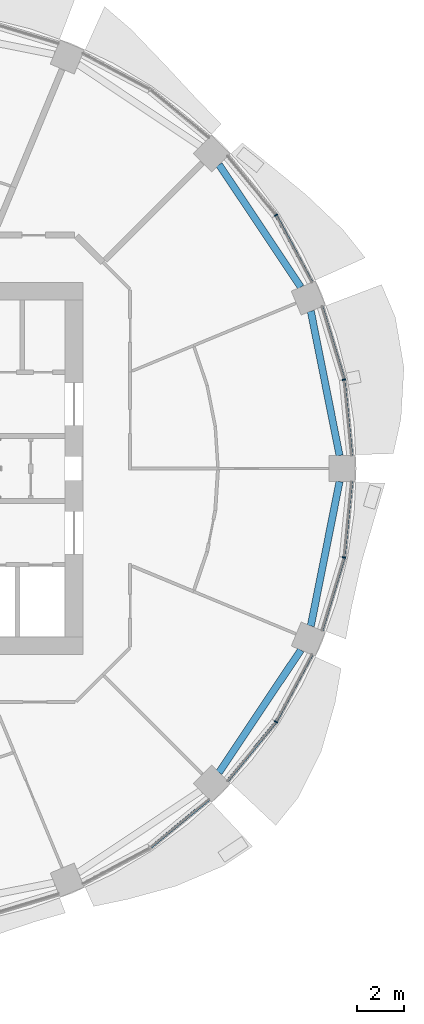
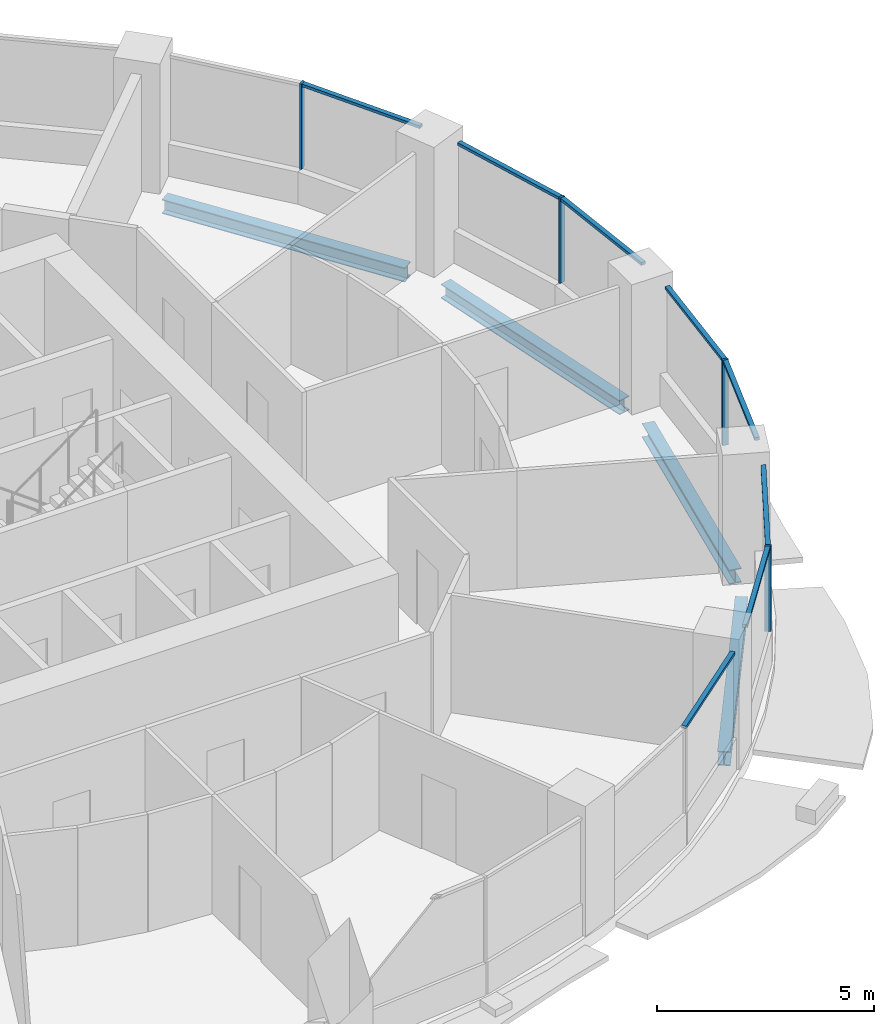
# One storey, part 5 of 15: 12 members, 4 beams, 5 elements without a shape of their own.
"""IFC4 building model written with IfcOpenShell, lengths in metres."""

import ifcopenshell
import ifcopenshell.guid

model = None  # the IFC model being written
_history = None  # IfcOwnerHistory: only IFC2X3 demands one
_inside = {}  # id of a spatial element -> (the spatial element, [elements in it])
_under = {}  # id of a project, library or spatial element -> (it, [spatial elements below it])
_declared = {}  # id of a project -> (the project, [libraries it declares])
_typed = {}  # id of a type object -> (the type object, [elements of that type])
_made_of = {}  # id of a material, layer set ... -> (it, [elements and type objects made of it])


def new_model(schema):
    """Start an empty IFC model of exactly this schema.

    Asked for "IFC4X3", IfcOpenShell would pick the latest addendum, in which some entities
    have other attributes; the version numbers below select the first issue.
    IFC2X3 requires an IfcOwnerHistory on every rooted entity: one is made here for all.
    """
    global model, _history
    if schema == "IFC4X3":
        model = ifcopenshell.file(schema_version=(4, 3, 0, 0))
    else:
        model = ifcopenshell.file(schema=schema)
    _inside.clear()
    _under.clear()
    _declared.clear()
    _typed.clear()
    _made_of.clear()
    _history = None
    if model.schema == "IFC2X3":
        org = make("IfcOrganization", Name="unknown")
        user = make(
            "IfcPersonAndOrganization",
            ThePerson=make("IfcPerson", FamilyName="unknown"),
            TheOrganization=org,
        )
        app = make(
            "IfcApplication",
            ApplicationDeveloper=org,
            Version="unknown",
            ApplicationFullName="unknown",
            ApplicationIdentifier="unknown",
        )
        _history = make(
            "IfcOwnerHistory",
            OwningUser=user,
            OwningApplication=app,
            ChangeAction="ADDED",
            CreationDate=0,
        )
    return model


def make(cls, **values):
    """One entity of the class cls with the attributes given. An attribute that is None is left unset."""
    return model.create_entity(
        cls, **{name: value for name, value in values.items() if value is not None}
    )


def rooted(cls, **values):
    """An entity with a GlobalId (a new one), such as an element, a storey or a relation."""
    return make(cls, GlobalId=ifcopenshell.guid.new(), OwnerHistory=_history, **values)


def si_unit(unit_type, name, prefix=None):
    """IfcSIUnit, for example si_unit("LENGTHUNIT", "METRE", prefix="MILLI")."""
    return make("IfcSIUnit", UnitType=unit_type, Prefix=prefix, Name=name)


def assignment(units):
    """IfcUnitAssignment: the units of a project."""
    return None if units is None else make("IfcUnitAssignment", Units=units)


def point(xyz):
    """IfcCartesianPoint."""
    return None if xyz is None else make("IfcCartesianPoint", Coordinates=xyz)


def direction(xyz):
    """IfcDirection."""
    return None if xyz is None else make("IfcDirection", DirectionRatios=xyz)


def frame(location, z_axis=None, x_axis=None):
    """IfcAxis2Placement3D, a coordinate frame: its origin and axes. An axis left out is left unset."""
    return make(
        "IfcAxis2Placement3D",
        Location=point(location),
        Axis=direction(z_axis),
        RefDirection=direction(x_axis),
    )


def frame_2d(location, x_axis=None):
    """IfcAxis2Placement2D, a coordinate frame in the plane: its origin and x axis."""
    return make(
        "IfcAxis2Placement2D", Location=point(location), RefDirection=direction(x_axis)
    )


def origin():
    """The frame at (0, 0, 0) with its axes left unset."""
    return frame((0.0, 0.0, 0.0))


def origin_2d():
    """The frame at (0, 0) in the plane with its x axis left unset."""
    return frame_2d((0.0, 0.0))


def place(relative_to, where):
    """IfcLocalPlacement: puts the frame where relative to a parent placement (None: the world)."""
    return make(
        "IfcLocalPlacement", PlacementRelTo=relative_to, RelativePlacement=where
    )


def context(
    kind, dimensions, precision=None, world=None, true_north=None, identifier=None
):
    """IfcGeometricRepresentationContext, for example the 3D "Model" context."""
    return make(
        "IfcGeometricRepresentationContext",
        ContextIdentifier=identifier,
        ContextType=kind,
        CoordinateSpaceDimension=dimensions,
        Precision=precision,
        WorldCoordinateSystem=world,
        TrueNorth=true_north,
    )


def subcontext(parent, identifier, kind, view, scale=None):
    """IfcGeometricRepresentationSubContext, for example "Body" below "Model"."""
    return make(
        "IfcGeometricRepresentationSubContext",
        ContextIdentifier=identifier,
        ContextType=kind,
        ParentContext=parent,
        TargetScale=scale,
        TargetView=view,
    )


def project(units=None, contexts=None):
    """IfcProject with its units and contexts."""
    return rooted(
        "IfcProject",
        Name="project",
        RepresentationContexts=contexts,
        UnitsInContext=assignment(units),
    )


def spatial(cls, under=None, at=None, **own):
    """A site, building, storey or space (cls), placed at a placement, below another one or the project."""
    s = rooted(cls, ObjectPlacement=at, **own)
    if under is not None:
        _under.setdefault(under.id(), (under, []))[1].append(s)
    return s


def profile(cls, at=None, kind="AREA", **sizes):
    """A parametric profile (cls). Its sizes go by their IFC names, for example OverallWidth=200.0."""
    return make(cls, ProfileType=kind, Position=at, **sizes)


def rectangle(**sizes):
    """IfcRectangleProfileDef."""
    return profile("IfcRectangleProfileDef", **sizes)


def i_section(**sizes):
    """IfcIShapeProfileDef."""
    return profile("IfcIShapeProfileDef", **sizes)


def extrude(swept, where, along, depth):
    """IfcExtrudedAreaSolid: the profile swept, set in the frame where, extruded along a direction by depth."""
    return make(
        "IfcExtrudedAreaSolid",
        SweptArea=swept,
        Position=where,
        ExtrudedDirection=direction(along),
        Depth=depth,
    )


def shape(context_of_items, identifier, shape_type, items):
    """IfcShapeRepresentation: the items that make up one representation, for example the "Body"."""
    return make(
        "IfcShapeRepresentation",
        ContextOfItems=context_of_items,
        RepresentationIdentifier=identifier,
        RepresentationType=shape_type,
        Items=items,
    )


def material(Name=None, Category=None):
    """IfcMaterial."""
    return make("IfcMaterial", Name=Name, Category=Category)


def material_profile(
    of_material, cross_section, Name=None, Category=None, Priority=None
):
    """IfcMaterialProfile: a cross section and its material."""
    return make(
        "IfcMaterialProfile",
        Name=Name,
        Material=of_material,
        Profile=cross_section,
        Priority=Priority,
        Category=Category,
    )


def profile_set(profiles, Name=None, composite=None):
    """IfcMaterialProfileSet."""
    return make(
        "IfcMaterialProfileSet",
        Name=Name,
        MaterialProfiles=profiles,
        CompositeProfile=composite,
    )


def made_of(thing, what):
    """Note that an element or type object is made of a material, layer set ...; save() writes the relation."""
    if what is not None:
        _made_of.setdefault(what.id(), (what, []))[1].append(thing)
    return thing


def type_object(cls, material=None, **own):
    """A type object (cls), such as IfcWallType, which elements share."""
    return made_of(rooted(cls, **own), material)


def element(
    cls,
    number,
    at=None,
    inside=None,
    cuts=None,
    type_object=None,
    material=None,
    context=None,
    identifier="Body",
    shape_type=None,
    held_by="IfcProductDefinitionShape",
    body=None,
    shapes=None,
    **own,
):
    """One element of the class cls, such as IfcWall. Its Tag is "e" and its number.

    at: its placement. inside: the storey or other place that contains it. cuts: it is an
    opening in that element (IfcRelVoidsElement). A single representation is given by context,
    identifier, shape_type and body (its items); several are given by shapes. held_by: the class
    of the entity that holds the representations. save() writes the other relations.
    """
    e = rooted(cls, Tag="e%d" % number, ObjectPlacement=at, **own)
    if body is not None:
        shapes = [shape(context, identifier, shape_type, body)]
    if shapes is not None:
        e.Representation = make(held_by, Representations=shapes)
    if inside is not None:
        _inside.setdefault(inside.id(), (inside, []))[1].append(e)
    if cuts is not None:
        rooted(
            "IfcRelVoidsElement", RelatingBuildingElement=cuts, RelatedOpeningElement=e
        )
    if type_object is not None:
        _typed.setdefault(type_object.id(), (type_object, []))[1].append(e)
    return made_of(e, material)


def aggregate(whole, parts):
    """IfcRelAggregates: a whole, such as a stair, and the parts it consists of."""
    return rooted("IfcRelAggregates", RelatingObject=whole, RelatedObjects=parts)


def save(model, path):
    """Write the relations noted so far, then the file.

    IfcRelAggregates (storeys below a building ...), IfcRelContainedInSpatialStructure (elements
    in a storey), IfcRelDefinesByType, IfcRelAssociatesMaterial and IfcRelDeclares: one each for
    every whole, place, type object, material and project.
    """
    for whole, parts in _under.values():
        aggregate(whole, parts)
    for where, things in _inside.values():
        rooted(
            "IfcRelContainedInSpatialStructure",
            RelatedElements=things,
            RelatingStructure=where,
        )
    for kind, things in _typed.values():
        rooted("IfcRelDefinesByType", RelatedObjects=things, RelatingType=kind)
    for what, things in _made_of.values():
        rooted("IfcRelAssociatesMaterial", RelatedObjects=things, RelatingMaterial=what)
    for by, libraries in _declared.values():
        rooted("IfcRelDeclares", RelatingContext=by, RelatedDefinitions=libraries)
    model.write(path)


model = new_model("IFC4")

# Units and contexts
model_context = context("Model", 3, precision=1e-05, world=origin(), true_north=direction((0.0, 1.0)))
body_context = subcontext(model_context, "Body", "Model", "MODEL_VIEW")
ifc_project = project(units=[si_unit("LENGTHUNIT", "METRE"), si_unit("AREAUNIT", "SQUARE_METRE"), si_unit("VOLUMEUNIT", "CUBIC_METRE"), si_unit("PLANEANGLEUNIT", "RADIAN"), si_unit("MASSUNIT", "GRAM", prefix="KILO")], contexts=[model_context])

# Site, building, storey
site_placement = place(None, origin())
site = spatial("IfcSite", under=ifc_project, at=site_placement, CompositionType="ELEMENT")
building_placement = place(site_placement, origin())
building = spatial("IfcBuilding", under=site, at=building_placement, Name="Polderwave Tower", CompositionType="ELEMENT")
storey_placement = place(building_placement, frame((0.0, 0.0, 76.39990234375)))
storey = spatial("IfcBuildingStorey", under=building, at=storey_placement, Name="L19", CompositionType="ELEMENT", Elevation=76.39990234375)

# Curtain wall, member
ifc_material_1 = material(Name="Aluminium 6063-T6 and glass", Category="aluminium")
curtain_wall_type = type_object("IfcCurtainWallType", Name="Growing floor ribbon glazing wall", PredefinedType="NOTDEFINED", material=ifc_material_1)
curtain_wall_1_placement = place(storey_placement, origin())
curtain_wall_1 = element("IfcCurtainWall", 1, at=curtain_wall_1_placement, inside=storey, type_object=curtain_wall_type, Name="CW2 L19 00", PredefinedType="NOTDEFINED")
ifc_material_2 = material(Name="Aluminium 6063-T6", Category="aluminium")
ifc_material_profile_1 = material_profile(ifc_material_2, rectangle(XDim=0.14990234375, YDim=0.06005859375, at=origin_2d()), Name="AL 60x150")
ifc_profile_set_1 = profile_set([ifc_material_profile_1], Name="Aluminium 6063-T6")
member_type_1 = type_object("IfcMemberType", Name="Growing floor ribbon glazing mullion 60x150", PredefinedType="MULLION", material=ifc_profile_set_1)
member_1_placement = place(storey_placement, frame((18.9189453125, 3.762939453125, 0.900146484375), z_axis=(0.0, 0.0, 1.0), x_axis=(-0.980778810424, -0.19512284598, 0.0)))
member_1 = element("IfcMember", 2, at=member_1_placement, type_object=member_type_1, Name="CW2 mullion 1", PredefinedType="MULLION", context=body_context, shape_type="SweptSolid", body=[
    extrude(rectangle(XDim=0.14990234375, YDim=0.06005859375, at=origin_2d()), origin(), (0.0, 0.0, 1.0), 2.39990234375),
])

curtain_wall_2_placement = place(storey_placement, origin())
curtain_wall_2 = element("IfcCurtainWall", 3, at=curtain_wall_2_placement, inside=storey, type_object=curtain_wall_type, Name="CW2 L19 01", PredefinedType="NOTDEFINED")
member_2_placement = place(storey_placement, frame((16.0390625, 10.717041015625, 0.900146484375), z_axis=(0.0, 0.0, 1.0), x_axis=(-0.831519061311, -0.555496220219, 0.0)))
member_2 = element("IfcMember", 4, at=member_2_placement, type_object=member_type_1, Name="CW2 mullion 1", PredefinedType="MULLION", context=body_context, shape_type="SweptSolid", body=[
    extrude(rectangle(XDim=0.14990234375, YDim=0.06005859375, at=origin_2d()), origin(), (0.0, 0.0, 1.0), 2.39990234375),
])

curtain_wall_3_placement = place(storey_placement, origin())
curtain_wall_3 = element("IfcCurtainWall", 5, at=curtain_wall_3_placement, inside=storey, type_object=curtain_wall_type, Name="CW2 L19 14", PredefinedType="NOTDEFINED")
member_3_placement = place(storey_placement, frame((16.0390625, -10.717041015625, 0.900146484375), z_axis=(0.0, 0.0, 1.0), x_axis=(-0.831519061311, 0.555496220219, 0.0)))
member_3 = element("IfcMember", 6, at=member_3_placement, type_object=member_type_1, Name="CW2 mullion 1", PredefinedType="MULLION", context=body_context, shape_type="SweptSolid", body=[
    extrude(rectangle(XDim=0.14990234375, YDim=0.06005859375, at=origin_2d()), origin(), (0.0, 0.0, 1.0), 2.39990234375),
])

curtain_wall_4_placement = place(storey_placement, origin())
curtain_wall_4 = element("IfcCurtainWall", 7, at=curtain_wall_4_placement, inside=storey, type_object=curtain_wall_type, Name="CW2 L19 15", PredefinedType="NOTDEFINED")
member_4_placement = place(storey_placement, frame((18.9189453125, -3.762939453125, 0.900146484375), z_axis=(0.0, 0.0, 1.0), x_axis=(-0.980778810424, 0.19512284598, 0.0)))
member_4 = element("IfcMember", 8, at=member_4_placement, type_object=member_type_1, Name="CW2 mullion 1", PredefinedType="MULLION", context=body_context, shape_type="SweptSolid", body=[
    extrude(rectangle(XDim=0.14990234375, YDim=0.06005859375, at=origin_2d()), origin(), (0.0, 0.0, 1.0), 2.39990234375),
])

# Member
ifc_material_profile_2 = material_profile(ifc_material_2, rectangle(XDim=0.1201171875, YDim=0.080078125, at=origin_2d()), Name="AL 80x120")
ifc_profile_set_2 = profile_set([ifc_material_profile_2], Name="Aluminium 6063-T6")
member_type_2 = type_object("IfcMemberType", Name="Growing floor ribbon glazing transom 80x120", PredefinedType="USERDEFINED", material=ifc_profile_set_2)
member_5_placement = place(storey_placement, frame((19.236083984375, 0.550048828125, 3.260009765625), z_axis=(-0.098234025198, 0.995163341514, 0.0), x_axis=(-0.995163341514, -0.098234025198, 0.0)))
member_5 = element("IfcMember", 9, at=member_5_placement, type_object=member_type_2, Name="CW2 transom 1", ObjectType="TRANSOM", PredefinedType="USERDEFINED", context=body_context, shape_type="SweptSolid", body=[
    extrude(rectangle(XDim=0.1201171875, YDim=0.080078125, at=origin_2d()), origin(), (0.0, 0.0, 1.0), 3.198486328125),
])

member_6_placement = place(storey_placement, frame((18.910400390625, 3.791748046875, 3.260009765625), z_axis=(-0.290238267171, 0.956954412848, 0.0), x_axis=(-0.956954412848, -0.290238267171, 0.0)))
member_6 = element("IfcMember", 10, at=member_6_placement, type_object=member_type_2, Name="CW2 transom 2", ObjectType="TRANSOM", PredefinedType="USERDEFINED", context=body_context, shape_type="SweptSolid", body=[
    extrude(rectangle(XDim=0.1201171875, YDim=0.080078125, at=origin_2d()), origin(), (0.0, 0.0, 1.0), 3.198974609375),
])

aggregate(curtain_wall_1, [member_1, member_5, member_6])

member_7_placement = place(storey_placement, frame((17.56103515625, 7.868896484375, 3.260009765625), z_axis=(-0.471376247819, 0.881932215645, 0.0), x_axis=(-0.881932215645, -0.471376247819, 0.0)))
member_7 = element("IfcMember", 11, at=member_7_placement, type_object=member_type_2, Name="CW2 transom 1", ObjectType="TRANSOM", PredefinedType="USERDEFINED", context=body_context, shape_type="SweptSolid", body=[
    extrude(rectangle(XDim=0.1201171875, YDim=0.080078125, at=origin_2d()), origin(), (0.0, 0.0, 1.0), 3.19921875),
])

aggregate(curtain_wall_2, [member_2, member_7])

# Curtain wall, member
curtain_wall_5_placement = place(storey_placement, origin())
curtain_wall_5 = element("IfcCurtainWall", 12, at=curtain_wall_5_placement, inside=storey, type_object=curtain_wall_type, Name="CW2 L19 13", PredefinedType="NOTDEFINED")
member_8_placement = place(storey_placement, frame((10.740234375, -16.02001953125, 3.260009765625), z_axis=(0.773041698987, 0.634355209348, 0.0), x_axis=(-0.634355209348, 0.773041698987, 0.0)))
member_8 = element("IfcMember", 13, at=member_8_placement, type_object=member_type_2, Name="CW2 transom 2", ObjectType="TRANSOM", PredefinedType="USERDEFINED", context=body_context, shape_type="SweptSolid", body=[
    extrude(rectangle(XDim=0.1201171875, YDim=0.080078125, at=origin_2d()), origin(), (0.0, 0.0, 1.0), 3.198486328125),
])
aggregate(curtain_wall_5, [member_8])

# Member
member_9_placement = place(storey_placement, frame((13.990966796875, -13.212890625, 3.260009765625), z_axis=(0.634355209348, 0.773041698987, 0.0), x_axis=(-0.773041698987, 0.634355209348, 0.0)))
member_9 = element("IfcMember", 14, at=member_9_placement, type_object=member_type_2, Name="CW2 transom 1", ObjectType="TRANSOM", PredefinedType="USERDEFINED", context=body_context, shape_type="SweptSolid", body=[
    extrude(rectangle(XDim=0.1201171875, YDim=0.080078125, at=origin_2d()), origin(), (0.0, 0.0, 1.0), 3.198486328125),
])

member_10_placement = place(storey_placement, frame((16.052978515625, -10.6904296875, 3.260009765625), z_axis=(0.471376247819, 0.881932215645, 0.0), x_axis=(-0.881932215645, 0.471376247819, 0.0)))
member_10 = element("IfcMember", 15, at=member_10_placement, type_object=member_type_2, Name="CW2 transom 2", ObjectType="TRANSOM", PredefinedType="USERDEFINED", context=body_context, shape_type="SweptSolid", body=[
    extrude(rectangle(XDim=0.1201171875, YDim=0.080078125, at=origin_2d()), origin(), (0.0, 0.0, 1.0), 3.19921875),
])

aggregate(curtain_wall_3, [member_3, member_9, member_10])

member_11_placement = place(storey_placement, frame((17.98193359375, -6.85302734375, 3.260009765625), z_axis=(0.290238267171, 0.956954412848, 0.0), x_axis=(-0.956954412848, 0.290238267171, 0.0)))
member_11 = element("IfcMember", 16, at=member_11_placement, type_object=member_type_2, Name="CW2 transom 1", ObjectType="TRANSOM", PredefinedType="USERDEFINED", context=body_context, shape_type="SweptSolid", body=[
    extrude(rectangle(XDim=0.1201171875, YDim=0.080078125, at=origin_2d()), origin(), (0.0, 0.0, 1.0), 3.198974609375),
])

member_12_placement = place(storey_placement, frame((18.921875, -3.733154296875, 3.260009765625), z_axis=(0.098234025198, 0.995163341514, 0.0), x_axis=(-0.995163341514, 0.098234025198, 0.0)))
member_12 = element("IfcMember", 17, at=member_12_placement, type_object=member_type_2, Name="CW2 transom 2", ObjectType="TRANSOM", PredefinedType="USERDEFINED", context=body_context, shape_type="SweptSolid", body=[
    extrude(rectangle(XDim=0.1201171875, YDim=0.080078125, at=origin_2d()), origin(), (0.0, 0.0, 1.0), 3.198486328125),
])

aggregate(curtain_wall_4, [member_4, member_11, member_12])

# Beams
ifc_material_3 = material(Name="Steel S355", Category="steel")
ifc_material_profile_3 = material_profile(ifc_material_3, i_section(OverallWidth=0.300048828125, OverallDepth=0.39990234375, WebThickness=0.013427734375, FlangeThickness=0.02392578125, at=origin_2d()), Name="HE 400 B")
ifc_profile_set_3 = profile_set([ifc_material_profile_3], Name="Steel S355")
beam_type = type_object("IfcBeamType", Name="RING BEAM HE 400 B", PredefinedType="BEAM", material=ifc_profile_set_3)
beam_1_placement = place(storey_placement, frame((18.730712890625, 0.550048828125, -0.5498046875), z_axis=(-0.195098540955, 0.980783645519, 0.0), x_axis=(-0.980783645519, -0.195098540955, 0.0)))
element("IfcBeam", 18, at=beam_1_placement, inside=storey, type_object=beam_type, Name="ST-RB-L19-00", PredefinedType="BEAM", context=body_context, shape_type="SweptSolid", body=[
    extrude(i_section(OverallWidth=0.300048828125, OverallDepth=0.39990234375, WebThickness=0.013427734375, FlangeThickness=0.02392578125, at=origin_2d()), origin(), (0.0, 0.0, 1.0), 6.229248046875),
])
for number, where, z_axis, x_axis, name in (
    (19, (17.09423828125, 7.676025390625, -0.5498046875), (-0.555541024975, 0.831489127752, 0.0), (-0.831489127752, -0.555541024975, 0.0), "ST-RB-L19-01"),
    (20, (13.633544921875, -12.855712890625, -0.5498046875), (0.555541024975, 0.831489127752, 0.0), (-0.831489127752, 0.555541024975, 0.0), "ST-RB-L19-14"),
):
    element("IfcBeam", number, at=place(storey_placement, frame(where, z_axis=z_axis, x_axis=x_axis)), inside=storey, type_object=beam_type, Name=name, PredefinedType="BEAM", context=body_context, shape_type="SweptSolid", body=[
        extrude(i_section(OverallWidth=0.300048828125, OverallDepth=0.39990234375, WebThickness=0.013427734375, FlangeThickness=0.02392578125, at=origin_2d()), origin(), (0.0, 0.0, 1.0), 6.2294921875),
    ])
beam_2_placement = place(storey_placement, frame((17.515380859375, -6.65966796875, -0.5498046875), z_axis=(0.195098540955, 0.980783645519, 0.0), x_axis=(-0.980783645519, 0.195098540955, 0.0)))
element("IfcBeam", 21, at=beam_2_placement, inside=storey, type_object=beam_type, Name="ST-RB-L19-15", PredefinedType="BEAM", context=body_context, shape_type="SweptSolid", body=[
    extrude(i_section(OverallWidth=0.300048828125, OverallDepth=0.39990234375, WebThickness=0.013427734375, FlangeThickness=0.02392578125, at=origin_2d()), origin(), (0.0, 0.0, 1.0), 6.229248046875),
])

save(model, "model.ifc")
